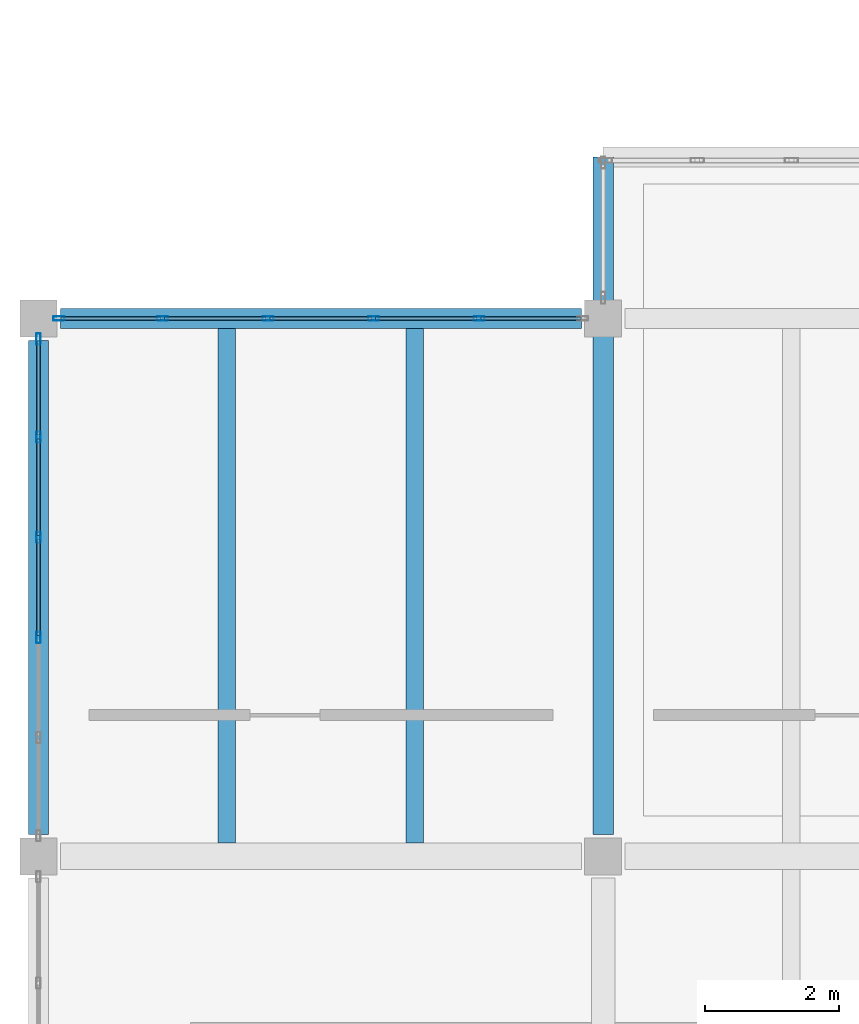
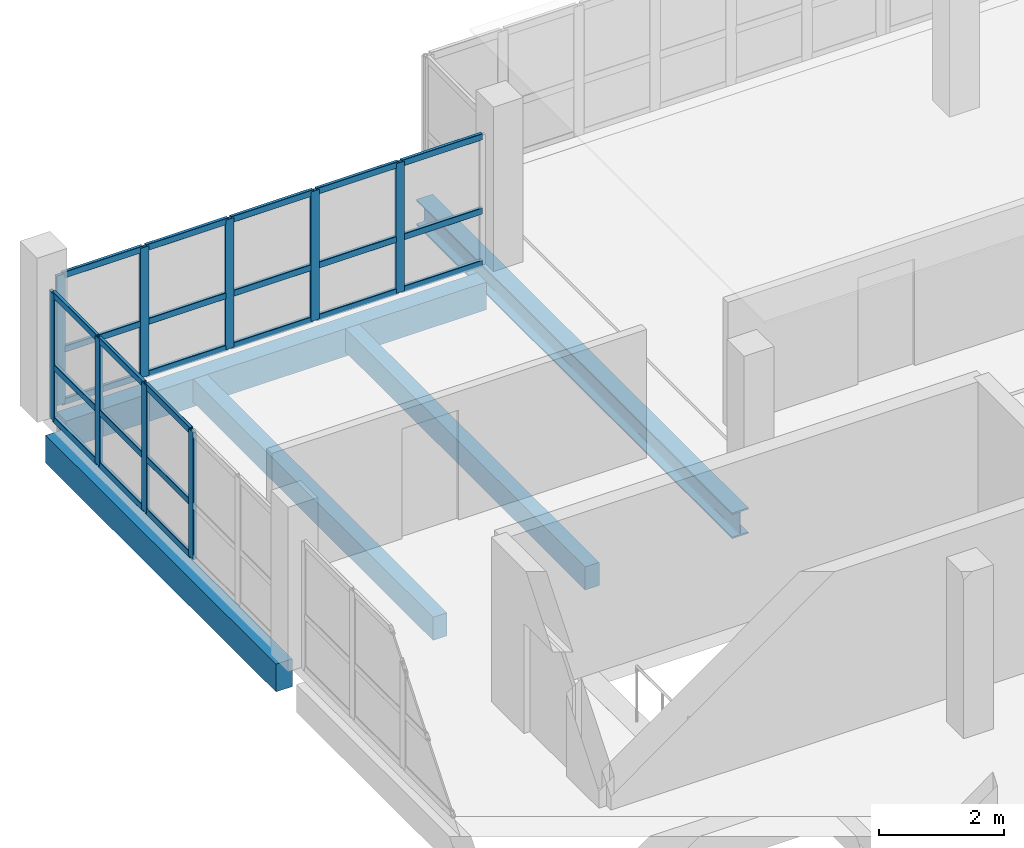
# One storey, part 9 of 24: 33 members, 5 beams, 2 elements without a shape of their own.
"""IFC4 building model written with IfcOpenShell, lengths in metres."""

from ifc_helpers import new_model, si_unit, direction, frame, origin, origin_2d, place, context, subcontext, project, spatial, rectangle, hollow_rectangle, i_section, extrude, material, layer, layer_set, material_profile, profile_set, type_object, element, aggregate, save


model = new_model("IFC4")

# Units and contexts
model_context = context("Model", 3, precision=1e-05, world=origin(), true_north=direction((0.0, 1.0)))
body_context = subcontext(model_context, "Body", "Model", "MODEL_VIEW")
ifc_project = project(units=[si_unit("LENGTHUNIT", "METRE"), si_unit("AREAUNIT", "SQUARE_METRE"), si_unit("VOLUMEUNIT", "CUBIC_METRE"), si_unit("PLANEANGLEUNIT", "RADIAN"), si_unit("MASSUNIT", "GRAM", prefix="KILO"), si_unit("THERMODYNAMICTEMPERATUREUNIT", "KELVIN"), si_unit("POWERUNIT", "WATT")], contexts=[model_context])

# Site, building, storey
site_placement = place(None, origin())
site = spatial("IfcSite", under=ifc_project, at=site_placement, CompositionType="ELEMENT")
building_placement = place(site_placement, origin())
building = spatial("IfcBuilding", under=site, at=building_placement, Name="Mavoryth Pier Ferry Terminal", CompositionType="ELEMENT")
storey_placement = place(building_placement, frame((0.0, 0.0, 16.320068359375)))
storey = spatial("IfcBuildingStorey", under=building, at=storey_placement, Name="L04", CompositionType="ELEMENT", Elevation=16.320068359375)

# Beams
ifc_material_1 = material(Name="Steel S355J2", Category="steel")
ifc_material_profile_1 = material_profile(ifc_material_1, i_section(OverallWidth=0.300048828125, OverallDepth=0.5, WebThickness=0.014404296875, FlangeThickness=0.028076171875, FilletRadius=0.027099609375, at=origin_2d()), Name="HEB 500", Category="steel")
ifc_profile_set_1 = profile_set([ifc_material_profile_1], Name="Steel S355J2 - HEB 500")
beam_type_1 = type_object("IfcBeamType", Name="Beam-Steel-HEB500", PredefinedType="BEAM", material=ifc_profile_set_1)
beam_1_placement = place(storey_placement, frame((50.39990234375, 14.324951171875, -0.510009765625), z_axis=(0.0, 1.0, 0.0), x_axis=(-1.0, 0.0, 0.0)))
element("IfcBeam", 1, at=beam_1_placement, inside=storey, type_object=beam_type_1, Name="Beam B04-SB01-1596", PredefinedType="BEAM", context=body_context, shape_type="SweptSolid", body=[
    extrude(i_section(OverallWidth=0.300048828125, OverallDepth=0.5, WebThickness=0.014404296875, FlangeThickness=0.028076171875, FilletRadius=0.027099609375, at=origin_2d()), origin(), (0.0, 0.0, 1.0), 10.074951171875),
])
ifc_material_2 = material(Name="Concrete C35/45", Category="concrete")
ifc_material_profile_2 = material_profile(ifc_material_2, rectangle(XDim=0.260009765625, YDim=0.449951171875, at=origin_2d()), Name="RC 260x450", Category="concrete")
ifc_profile_set_2 = profile_set([ifc_material_profile_2], Name="Concrete C35/45 - RC 260x450")
beam_type_2 = type_object("IfcBeamType", Name="Joist-RC-260x450", PredefinedType="JOIST", material=ifc_profile_set_2)
for number, where, z_axis, x_axis, name in (
    (2, (44.800048828125, 14.199951171875, -0.485107421875), (0.0, 1.0, 0.0), (-1.0, 0.0, 0.0), "Beam B04-BJ03-1494"),
    (3, (47.60009765625, 14.199951171875, -0.485107421875), (0.0, 1.0, 0.0), (-1.0, 0.0, 0.0), "Beam B04-BJ03-1495"),
):
    element("IfcBeam", number, at=place(storey_placement, frame(where, z_axis=z_axis, x_axis=x_axis)), inside=storey, type_object=beam_type_2, Name=name, PredefinedType="JOIST", context=body_context, shape_type="SweptSolid", body=[
        extrude(rectangle(XDim=0.260009765625, YDim=0.449951171875, at=origin_2d()), origin(), (0.0, 0.0, 1.0), 7.650146484375),
    ])

# Curtain wall, members
ifc_material_3 = material(Name="Anodised Aluminium and Solar-Control Low-E Glass", Category="aluminium")
ifc_layer = layer(ifc_material_3, 0.260009765625, Name="Anodised Aluminium and Solar-Control Low-E Glass", Category="aluminium")
ifc_layer_set = layer_set([ifc_layer], Name="Anodised Aluminium and Solar-Control Low-E Glass - CW-VTSBridge-Mod1500")
curtain_wall_type = type_object("IfcCurtainWallType", Name="CW-VTSBridge-Mod1500", PredefinedType="USERDEFINED", material=ifc_layer_set)
curtain_wall_1_placement = place(storey_placement, origin())
curtain_wall_1 = element("IfcCurtainWall", 4, at=curtain_wall_1_placement, inside=storey, type_object=curtain_wall_type, Name="Curtain Wall CW-0422-150", ObjectType="UNITISED CURTAIN WALL", PredefinedType="USERDEFINED")
ifc_material_4 = material(Name="Anodised Aluminium EN AW-6063", Category="aluminium")
ifc_material_profile_3 = material_profile(ifc_material_4, hollow_rectangle(XDim=0.06005859375, YDim=0.1650390625, WallThickness=0.00390625, InnerFilletRadius=0.00390625, OuterFilletRadius=0.008056640625, at=origin_2d()), Name="AL-MULL 165x60x4", Category="aluminium")
ifc_profile_set_3 = profile_set([ifc_material_profile_3], Name="Anodised Aluminium EN AW-6063 - AL-MULL 165x60x4")
member_type_1 = type_object("IfcMemberType", Name="Mullion-Alum-165x60", PredefinedType="MULLION", material=ifc_profile_set_3)
member_1_placement = place(storey_placement, frame((48.554931640625, 22.0, 0.0), z_axis=(0.0, 0.0, 1.0), x_axis=(0.0, -1.0, 0.0)))
member_1 = element("IfcMember", 5, at=member_1_placement, type_object=member_type_1, Name="CW07 mullion 2", PredefinedType="MULLION", context=body_context, shape_type="SweptSolid", body=[
    extrude(hollow_rectangle(XDim=0.06005859375, YDim=0.1650390625, WallThickness=0.00390625, InnerFilletRadius=0.00390625, OuterFilletRadius=0.008056640625, at=origin_2d()), origin(), (0.0, 0.0, 1.0), 2.52490234375),
])
member_2_placement = place(storey_placement, frame((46.985107421875, 22.0, 0.0), z_axis=(0.0, 0.0, 1.0), x_axis=(0.0, -1.0, 0.0)))
member_2 = element("IfcMember", 6, at=member_2_placement, type_object=member_type_1, Name="CW07 mullion 3", PredefinedType="MULLION", context=body_context, shape_type="SweptSolid", body=[
    extrude(hollow_rectangle(XDim=0.06005859375, YDim=0.1650390625, WallThickness=0.00390625, InnerFilletRadius=0.00390625, OuterFilletRadius=0.008056640625, at=origin_2d()), origin(), (0.0, 0.0, 1.0), 2.52490234375),
])
member_3_placement = place(storey_placement, frame((45.4150390625, 22.0, 0.0), z_axis=(0.0, 0.0, 1.0), x_axis=(0.0, -1.0, 0.0)))
member_3 = element("IfcMember", 7, at=member_3_placement, type_object=member_type_1, Name="CW07 mullion 4", PredefinedType="MULLION", context=body_context, shape_type="SweptSolid", body=[
    extrude(hollow_rectangle(XDim=0.06005859375, YDim=0.1650390625, WallThickness=0.00390625, InnerFilletRadius=0.00390625, OuterFilletRadius=0.008056640625, at=origin_2d()), origin(), (0.0, 0.0, 1.0), 2.52490234375),
])
member_4_placement = place(storey_placement, frame((43.844970703125, 22.0, 0.0), z_axis=(0.0, 0.0, 1.0), x_axis=(0.0, -1.0, 0.0)))
member_4 = element("IfcMember", 8, at=member_4_placement, type_object=member_type_1, Name="CW07 mullion 5", PredefinedType="MULLION", context=body_context, shape_type="SweptSolid", body=[
    extrude(hollow_rectangle(XDim=0.06005859375, YDim=0.1650390625, WallThickness=0.00390625, InnerFilletRadius=0.00390625, OuterFilletRadius=0.008056640625, at=origin_2d()), origin(), (0.0, 0.0, 1.0), 2.52490234375),
])
member_5_placement = place(storey_placement, frame((42.304931640625, 22.0, 0.0), z_axis=(0.0, 0.0, 1.0), x_axis=(0.0, -1.0, 0.0)))
member_5 = element("IfcMember", 9, at=member_5_placement, type_object=member_type_1, Name="CW07 mullion 6", PredefinedType="MULLION", context=body_context, shape_type="SweptSolid", body=[
    extrude(hollow_rectangle(XDim=0.06005859375, YDim=0.1650390625, WallThickness=0.00390625, InnerFilletRadius=0.00390625, OuterFilletRadius=0.008056640625, at=origin_2d()), origin(), (0.0, 0.0, 1.0), 2.52490234375),
])

curtain_wall_2_placement = place(storey_placement, origin())
curtain_wall_2 = element("IfcCurtainWall", 10, at=curtain_wall_2_placement, inside=storey, type_object=curtain_wall_type, Name="Curtain Wall CW-0422-164", ObjectType="UNITISED CURTAIN WALL", PredefinedType="USERDEFINED")
member_6_placement = place(storey_placement, frame((42.0, 21.695068359375, 0.0), z_axis=(0.0, 0.0, 1.0), x_axis=(1.0, 0.0, 0.0)))
member_6 = element("IfcMember", 11, at=member_6_placement, type_object=member_type_1, Name="CW07 mullion 1", PredefinedType="MULLION", context=body_context, shape_type="SweptSolid", body=[
    extrude(hollow_rectangle(XDim=0.06005859375, YDim=0.1650390625, WallThickness=0.00390625, InnerFilletRadius=0.00390625, OuterFilletRadius=0.008056640625, at=origin_2d()), origin(), (0.0, 0.0, 1.0), 2.474853515625),
])
member_7_placement = place(storey_placement, frame((42.0, 20.235107421875, 0.0), z_axis=(0.0, 0.0, 1.0), x_axis=(1.0, 0.0, 0.0)))
member_7 = element("IfcMember", 12, at=member_7_placement, type_object=member_type_1, Name="CW07 mullion 2", PredefinedType="MULLION", context=body_context, shape_type="SweptSolid", body=[
    extrude(hollow_rectangle(XDim=0.06005859375, YDim=0.1650390625, WallThickness=0.00390625, InnerFilletRadius=0.00390625, OuterFilletRadius=0.008056640625, at=origin_2d()), origin(), (0.0, 0.0, 1.0), 2.474853515625),
])
member_8_placement = place(storey_placement, frame((42.0, 18.7451171875, 0.0), z_axis=(0.0, 0.0, 1.0), x_axis=(1.0, 0.0, 0.0)))
member_8 = element("IfcMember", 13, at=member_8_placement, type_object=member_type_1, Name="CW07 mullion 3", PredefinedType="MULLION", context=body_context, shape_type="SweptSolid", body=[
    extrude(hollow_rectangle(XDim=0.06005859375, YDim=0.1650390625, WallThickness=0.00390625, InnerFilletRadius=0.00390625, OuterFilletRadius=0.008056640625, at=origin_2d()), origin(), (0.0, 0.0, 1.0), 2.474853515625),
])
member_9_placement = place(storey_placement, frame((42.0, 17.2548828125, 0.0), z_axis=(0.0, 0.0, 1.0), x_axis=(1.0, 0.0, 0.0)))
member_9 = element("IfcMember", 14, at=member_9_placement, type_object=member_type_1, Name="CW07 mullion 4", PredefinedType="MULLION", context=body_context, shape_type="SweptSolid", body=[
    extrude(hollow_rectangle(XDim=0.06005859375, YDim=0.1650390625, WallThickness=0.00390625, InnerFilletRadius=0.00390625, OuterFilletRadius=0.008056640625, at=origin_2d()), origin(), (0.0, 0.0, 1.0), 2.474853515625),
])

# Beams
ifc_material_profile_4 = material_profile(ifc_material_2, rectangle(XDim=0.300048828125, YDim=0.5400390625, at=origin_2d()), Name="RC 300x540", Category="concrete")
ifc_profile_set_4 = profile_set([ifc_material_profile_4], Name="Concrete C35/45 - RC 300x540")
beam_type_3 = type_object("IfcBeamType", Name="Spandrel-RC-300x540", PredefinedType="SPANDREL", material=ifc_profile_set_4)
beam_2_placement = place(storey_placement, frame((42.324951171875, 22.0, -0.530029296875), z_axis=(1.0, 0.0, 0.0), x_axis=(0.0, 1.0, 0.0)))
element("IfcBeam", 15, at=beam_2_placement, inside=storey, type_object=beam_type_3, Name="Beam B04-SP02-1472", PredefinedType="SPANDREL", context=body_context, shape_type="SweptSolid", body=[
    extrude(rectangle(XDim=0.300048828125, YDim=0.5400390625, at=origin_2d()), origin(), (0.0, 0.0, 1.0), 7.75),
])
beam_3_placement = place(storey_placement, frame((42.0, 14.324951171875, -0.530029296875), z_axis=(0.0, 1.0, 0.0), x_axis=(-1.0, 0.0, 0.0)))
element("IfcBeam", 16, at=beam_3_placement, inside=storey, type_object=beam_type_3, Name="Beam B04-SP02-1479", PredefinedType="SPANDREL", context=body_context, shape_type="SweptSolid", body=[
    extrude(rectangle(XDim=0.300048828125, YDim=0.5400390625, at=origin_2d()), origin(), (0.0, 0.0, 1.0), 7.35009765625),
])

# Member
ifc_material_profile_5 = material_profile(ifc_material_4, hollow_rectangle(XDim=0.06005859375, YDim=0.125, WallThickness=0.00390625, InnerFilletRadius=0.00390625, OuterFilletRadius=0.008056640625, at=origin_2d()), Name="AL-TRAN 125x60x4", Category="aluminium")
ifc_profile_set_5 = profile_set([ifc_material_profile_5], Name="Anodised Aluminium EN AW-6063 - AL-TRAN 125x60x4")
member_type_2 = type_object("IfcMemberType", Name="Transom-Alum-125x60", PredefinedType="USERDEFINED", material=ifc_profile_set_5)
member_10_placement = place(storey_placement, frame((50.06494140625, 22.0, 0.030029296875), z_axis=(-1.0, 0.0, 0.0), x_axis=(0.0, -1.0, 0.0)))
member_10 = element("IfcMember", 17, at=member_10_placement, type_object=member_type_2, Name="CW07 transom 1.1", ObjectType="TRANSOM", PredefinedType="USERDEFINED", context=body_context, shape_type="SweptSolid", body=[
    extrude(hollow_rectangle(XDim=0.06005859375, YDim=0.125, WallThickness=0.00390625, InnerFilletRadius=0.00390625, OuterFilletRadius=0.008056640625, at=origin_2d()), origin(), (0.0, 0.0, 1.0), 1.47998046875),
])

member_11_placement = place(storey_placement, frame((50.06494140625, 22.0, 1.050048828125), z_axis=(-1.0, 0.0, 0.0), x_axis=(0.0, -1.0, 0.0)))
member_11 = element("IfcMember", 18, at=member_11_placement, type_object=member_type_2, Name="CW07 transom 1.2", ObjectType="TRANSOM", PredefinedType="USERDEFINED", context=body_context, shape_type="SweptSolid", body=[
    extrude(hollow_rectangle(XDim=0.06005859375, YDim=0.125, WallThickness=0.00390625, InnerFilletRadius=0.00390625, OuterFilletRadius=0.008056640625, at=origin_2d()), origin(), (0.0, 0.0, 1.0), 1.47998046875),
])

member_12_placement = place(storey_placement, frame((50.06494140625, 22.0, 2.494873046875), z_axis=(-1.0, 0.0, 0.0), x_axis=(0.0, -1.0, 0.0)))
member_12 = element("IfcMember", 19, at=member_12_placement, type_object=member_type_2, Name="CW07 transom 1.3", ObjectType="TRANSOM", PredefinedType="USERDEFINED", context=body_context, shape_type="SweptSolid", body=[
    extrude(hollow_rectangle(XDim=0.06005859375, YDim=0.125, WallThickness=0.00390625, InnerFilletRadius=0.00390625, OuterFilletRadius=0.008056640625, at=origin_2d()), origin(), (0.0, 0.0, 1.0), 1.47998046875),
])

member_13_placement = place(storey_placement, frame((48.52490234375, 22.0, 0.030029296875), z_axis=(-1.0, 0.0, 0.0), x_axis=(0.0, -1.0, 0.0)))
member_13 = element("IfcMember", 20, at=member_13_placement, type_object=member_type_2, Name="CW07 transom 2.1", ObjectType="TRANSOM", PredefinedType="USERDEFINED", context=body_context, shape_type="SweptSolid", body=[
    extrude(hollow_rectangle(XDim=0.06005859375, YDim=0.125, WallThickness=0.00390625, InnerFilletRadius=0.00390625, OuterFilletRadius=0.008056640625, at=origin_2d()), origin(), (0.0, 0.0, 1.0), 1.510009765625),
])

member_14_placement = place(storey_placement, frame((48.52490234375, 22.0, 1.050048828125), z_axis=(-1.0, 0.0, 0.0), x_axis=(0.0, -1.0, 0.0)))
member_14 = element("IfcMember", 21, at=member_14_placement, type_object=member_type_2, Name="CW07 transom 2.2", ObjectType="TRANSOM", PredefinedType="USERDEFINED", context=body_context, shape_type="SweptSolid", body=[
    extrude(hollow_rectangle(XDim=0.06005859375, YDim=0.125, WallThickness=0.00390625, InnerFilletRadius=0.00390625, OuterFilletRadius=0.008056640625, at=origin_2d()), origin(), (0.0, 0.0, 1.0), 1.510009765625),
])

member_15_placement = place(storey_placement, frame((48.52490234375, 22.0, 2.494873046875), z_axis=(-1.0, 0.0, 0.0), x_axis=(0.0, -1.0, 0.0)))
member_15 = element("IfcMember", 22, at=member_15_placement, type_object=member_type_2, Name="CW07 transom 2.3", ObjectType="TRANSOM", PredefinedType="USERDEFINED", context=body_context, shape_type="SweptSolid", body=[
    extrude(hollow_rectangle(XDim=0.06005859375, YDim=0.125, WallThickness=0.00390625, InnerFilletRadius=0.00390625, OuterFilletRadius=0.008056640625, at=origin_2d()), origin(), (0.0, 0.0, 1.0), 1.510009765625),
])

member_16_placement = place(storey_placement, frame((46.955078125, 22.0, 0.030029296875), z_axis=(-1.0, 0.0, 0.0), x_axis=(0.0, -1.0, 0.0)))
member_16 = element("IfcMember", 23, at=member_16_placement, type_object=member_type_2, Name="CW07 transom 3.1", ObjectType="TRANSOM", PredefinedType="USERDEFINED", context=body_context, shape_type="SweptSolid", body=[
    extrude(hollow_rectangle(XDim=0.06005859375, YDim=0.125, WallThickness=0.00390625, InnerFilletRadius=0.00390625, OuterFilletRadius=0.008056640625, at=origin_2d()), origin(), (0.0, 0.0, 1.0), 1.510009765625),
])

member_17_placement = place(storey_placement, frame((46.955078125, 22.0, 1.050048828125), z_axis=(-1.0, 0.0, 0.0), x_axis=(0.0, -1.0, 0.0)))
member_17 = element("IfcMember", 24, at=member_17_placement, type_object=member_type_2, Name="CW07 transom 3.2", ObjectType="TRANSOM", PredefinedType="USERDEFINED", context=body_context, shape_type="SweptSolid", body=[
    extrude(hollow_rectangle(XDim=0.06005859375, YDim=0.125, WallThickness=0.00390625, InnerFilletRadius=0.00390625, OuterFilletRadius=0.008056640625, at=origin_2d()), origin(), (0.0, 0.0, 1.0), 1.510009765625),
])

member_18_placement = place(storey_placement, frame((46.955078125, 22.0, 2.494873046875), z_axis=(-1.0, 0.0, 0.0), x_axis=(0.0, -1.0, 0.0)))
member_18 = element("IfcMember", 25, at=member_18_placement, type_object=member_type_2, Name="CW07 transom 3.3", ObjectType="TRANSOM", PredefinedType="USERDEFINED", context=body_context, shape_type="SweptSolid", body=[
    extrude(hollow_rectangle(XDim=0.06005859375, YDim=0.125, WallThickness=0.00390625, InnerFilletRadius=0.00390625, OuterFilletRadius=0.008056640625, at=origin_2d()), origin(), (0.0, 0.0, 1.0), 1.510009765625),
])

member_19_placement = place(storey_placement, frame((45.385009765625, 22.0, 0.030029296875), z_axis=(-1.0, 0.0, 0.0), x_axis=(0.0, -1.0, 0.0)))
member_19 = element("IfcMember", 26, at=member_19_placement, type_object=member_type_2, Name="CW07 transom 4.1", ObjectType="TRANSOM", PredefinedType="USERDEFINED", context=body_context, shape_type="SweptSolid", body=[
    extrude(hollow_rectangle(XDim=0.06005859375, YDim=0.125, WallThickness=0.00390625, InnerFilletRadius=0.00390625, OuterFilletRadius=0.008056640625, at=origin_2d()), origin(), (0.0, 0.0, 1.0), 1.510009765625),
])

member_20_placement = place(storey_placement, frame((45.385009765625, 22.0, 1.050048828125), z_axis=(-1.0, 0.0, 0.0), x_axis=(0.0, -1.0, 0.0)))
member_20 = element("IfcMember", 27, at=member_20_placement, type_object=member_type_2, Name="CW07 transom 4.2", ObjectType="TRANSOM", PredefinedType="USERDEFINED", context=body_context, shape_type="SweptSolid", body=[
    extrude(hollow_rectangle(XDim=0.06005859375, YDim=0.125, WallThickness=0.00390625, InnerFilletRadius=0.00390625, OuterFilletRadius=0.008056640625, at=origin_2d()), origin(), (0.0, 0.0, 1.0), 1.510009765625),
])

member_21_placement = place(storey_placement, frame((45.385009765625, 22.0, 2.494873046875), z_axis=(-1.0, 0.0, 0.0), x_axis=(0.0, -1.0, 0.0)))
member_21 = element("IfcMember", 28, at=member_21_placement, type_object=member_type_2, Name="CW07 transom 4.3", ObjectType="TRANSOM", PredefinedType="USERDEFINED", context=body_context, shape_type="SweptSolid", body=[
    extrude(hollow_rectangle(XDim=0.06005859375, YDim=0.125, WallThickness=0.00390625, InnerFilletRadius=0.00390625, OuterFilletRadius=0.008056640625, at=origin_2d()), origin(), (0.0, 0.0, 1.0), 1.510009765625),
])

member_22_placement = place(storey_placement, frame((43.81494140625, 22.0, 0.030029296875), z_axis=(-1.0, 0.0, 0.0), x_axis=(0.0, -1.0, 0.0)))
member_22 = element("IfcMember", 29, at=member_22_placement, type_object=member_type_2, Name="CW07 transom 5.1", ObjectType="TRANSOM", PredefinedType="USERDEFINED", context=body_context, shape_type="SweptSolid", body=[
    extrude(hollow_rectangle(XDim=0.06005859375, YDim=0.125, WallThickness=0.00390625, InnerFilletRadius=0.00390625, OuterFilletRadius=0.008056640625, at=origin_2d()), origin(), (0.0, 0.0, 1.0), 1.47998046875),
])

member_23_placement = place(storey_placement, frame((43.81494140625, 22.0, 1.050048828125), z_axis=(-1.0, 0.0, 0.0), x_axis=(0.0, -1.0, 0.0)))
member_23 = element("IfcMember", 30, at=member_23_placement, type_object=member_type_2, Name="CW07 transom 5.2", ObjectType="TRANSOM", PredefinedType="USERDEFINED", context=body_context, shape_type="SweptSolid", body=[
    extrude(hollow_rectangle(XDim=0.06005859375, YDim=0.125, WallThickness=0.00390625, InnerFilletRadius=0.00390625, OuterFilletRadius=0.008056640625, at=origin_2d()), origin(), (0.0, 0.0, 1.0), 1.47998046875),
])

member_24_placement = place(storey_placement, frame((43.81494140625, 22.0, 2.494873046875), z_axis=(-1.0, 0.0, 0.0), x_axis=(0.0, -1.0, 0.0)))
member_24 = element("IfcMember", 31, at=member_24_placement, type_object=member_type_2, Name="CW07 transom 5.3", ObjectType="TRANSOM", PredefinedType="USERDEFINED", context=body_context, shape_type="SweptSolid", body=[
    extrude(hollow_rectangle(XDim=0.06005859375, YDim=0.125, WallThickness=0.00390625, InnerFilletRadius=0.00390625, OuterFilletRadius=0.008056640625, at=origin_2d()), origin(), (0.0, 0.0, 1.0), 1.47998046875),
])

aggregate(curtain_wall_1, [member_1, member_2, member_3, member_4, member_5, member_10, member_11, member_12, member_13, member_14, member_15, member_16, member_17, member_18, member_19, member_20, member_21, member_22, member_23, member_24])

member_25_placement = place(storey_placement, frame((42.0, 21.6650390625, 0.030029296875), z_axis=(0.0, -1.0, 0.0), x_axis=(1.0, 0.0, 0.0)))
member_25 = element("IfcMember", 32, at=member_25_placement, type_object=member_type_2, Name="CW07 transom 1.1", ObjectType="TRANSOM", PredefinedType="USERDEFINED", context=body_context, shape_type="SweptSolid", body=[
    extrude(hollow_rectangle(XDim=0.06005859375, YDim=0.125, WallThickness=0.00390625, InnerFilletRadius=0.00390625, OuterFilletRadius=0.008056640625, at=origin_2d()), origin(), (0.0, 0.0, 1.0), 1.400146484375),
])

member_26_placement = place(storey_placement, frame((42.0, 21.6650390625, 1.050048828125), z_axis=(0.0, -1.0, 0.0), x_axis=(1.0, 0.0, 0.0)))
member_26 = element("IfcMember", 33, at=member_26_placement, type_object=member_type_2, Name="CW07 transom 1.2", ObjectType="TRANSOM", PredefinedType="USERDEFINED", context=body_context, shape_type="SweptSolid", body=[
    extrude(hollow_rectangle(XDim=0.06005859375, YDim=0.125, WallThickness=0.00390625, InnerFilletRadius=0.00390625, OuterFilletRadius=0.008056640625, at=origin_2d()), origin(), (0.0, 0.0, 1.0), 1.400146484375),
])

member_27_placement = place(storey_placement, frame((42.0, 21.6650390625, 2.44482421875), z_axis=(0.0, -1.0, 0.0), x_axis=(1.0, 0.0, 0.0)))
member_27 = element("IfcMember", 34, at=member_27_placement, type_object=member_type_2, Name="CW07 transom 1.3", ObjectType="TRANSOM", PredefinedType="USERDEFINED", context=body_context, shape_type="SweptSolid", body=[
    extrude(hollow_rectangle(XDim=0.06005859375, YDim=0.125, WallThickness=0.00390625, InnerFilletRadius=0.00390625, OuterFilletRadius=0.008056640625, at=origin_2d()), origin(), (0.0, 0.0, 1.0), 1.400146484375),
])

member_28_placement = place(storey_placement, frame((42.0, 20.205078125, 0.030029296875), z_axis=(0.0, -1.0, 0.0), x_axis=(1.0, 0.0, 0.0)))
member_28 = element("IfcMember", 35, at=member_28_placement, type_object=member_type_2, Name="CW07 transom 2.1", ObjectType="TRANSOM", PredefinedType="USERDEFINED", context=body_context, shape_type="SweptSolid", body=[
    extrude(hollow_rectangle(XDim=0.06005859375, YDim=0.125, WallThickness=0.00390625, InnerFilletRadius=0.00390625, OuterFilletRadius=0.008056640625, at=origin_2d()), origin(), (0.0, 0.0, 1.0), 1.43017578125),
])

member_29_placement = place(storey_placement, frame((42.0, 20.205078125, 1.050048828125), z_axis=(0.0, -1.0, 0.0), x_axis=(1.0, 0.0, 0.0)))
member_29 = element("IfcMember", 36, at=member_29_placement, type_object=member_type_2, Name="CW07 transom 2.2", ObjectType="TRANSOM", PredefinedType="USERDEFINED", context=body_context, shape_type="SweptSolid", body=[
    extrude(hollow_rectangle(XDim=0.06005859375, YDim=0.125, WallThickness=0.00390625, InnerFilletRadius=0.00390625, OuterFilletRadius=0.008056640625, at=origin_2d()), origin(), (0.0, 0.0, 1.0), 1.43017578125),
])

member_30_placement = place(storey_placement, frame((42.0, 20.205078125, 2.44482421875), z_axis=(0.0, -1.0, 0.0), x_axis=(1.0, 0.0, 0.0)))
member_30 = element("IfcMember", 37, at=member_30_placement, type_object=member_type_2, Name="CW07 transom 2.3", ObjectType="TRANSOM", PredefinedType="USERDEFINED", context=body_context, shape_type="SweptSolid", body=[
    extrude(hollow_rectangle(XDim=0.06005859375, YDim=0.125, WallThickness=0.00390625, InnerFilletRadius=0.00390625, OuterFilletRadius=0.008056640625, at=origin_2d()), origin(), (0.0, 0.0, 1.0), 1.43017578125),
])

member_31_placement = place(storey_placement, frame((42.0, 18.715087890625, 0.030029296875), z_axis=(0.0, -1.0, 0.0), x_axis=(1.0, 0.0, 0.0)))
member_31 = element("IfcMember", 38, at=member_31_placement, type_object=member_type_2, Name="CW07 transom 3.1", ObjectType="TRANSOM", PredefinedType="USERDEFINED", context=body_context, shape_type="SweptSolid", body=[
    extrude(hollow_rectangle(XDim=0.06005859375, YDim=0.125, WallThickness=0.00390625, InnerFilletRadius=0.00390625, OuterFilletRadius=0.008056640625, at=origin_2d()), origin(), (0.0, 0.0, 1.0), 1.43017578125),
])

member_32_placement = place(storey_placement, frame((42.0, 18.715087890625, 1.050048828125), z_axis=(0.0, -1.0, 0.0), x_axis=(1.0, 0.0, 0.0)))
member_32 = element("IfcMember", 39, at=member_32_placement, type_object=member_type_2, Name="CW07 transom 3.2", ObjectType="TRANSOM", PredefinedType="USERDEFINED", context=body_context, shape_type="SweptSolid", body=[
    extrude(hollow_rectangle(XDim=0.06005859375, YDim=0.125, WallThickness=0.00390625, InnerFilletRadius=0.00390625, OuterFilletRadius=0.008056640625, at=origin_2d()), origin(), (0.0, 0.0, 1.0), 1.43017578125),
])

member_33_placement = place(storey_placement, frame((42.0, 18.715087890625, 2.44482421875), z_axis=(0.0, -1.0, 0.0), x_axis=(1.0, 0.0, 0.0)))
member_33 = element("IfcMember", 40, at=member_33_placement, type_object=member_type_2, Name="CW07 transom 3.3", ObjectType="TRANSOM", PredefinedType="USERDEFINED", context=body_context, shape_type="SweptSolid", body=[
    extrude(hollow_rectangle(XDim=0.06005859375, YDim=0.125, WallThickness=0.00390625, InnerFilletRadius=0.00390625, OuterFilletRadius=0.008056640625, at=origin_2d()), origin(), (0.0, 0.0, 1.0), 1.43017578125),
])

aggregate(curtain_wall_2, [member_6, member_7, member_8, member_9, member_25, member_26, member_27, member_28, member_29, member_30, member_31, member_32, member_33])

save(model, "model.ifc")
